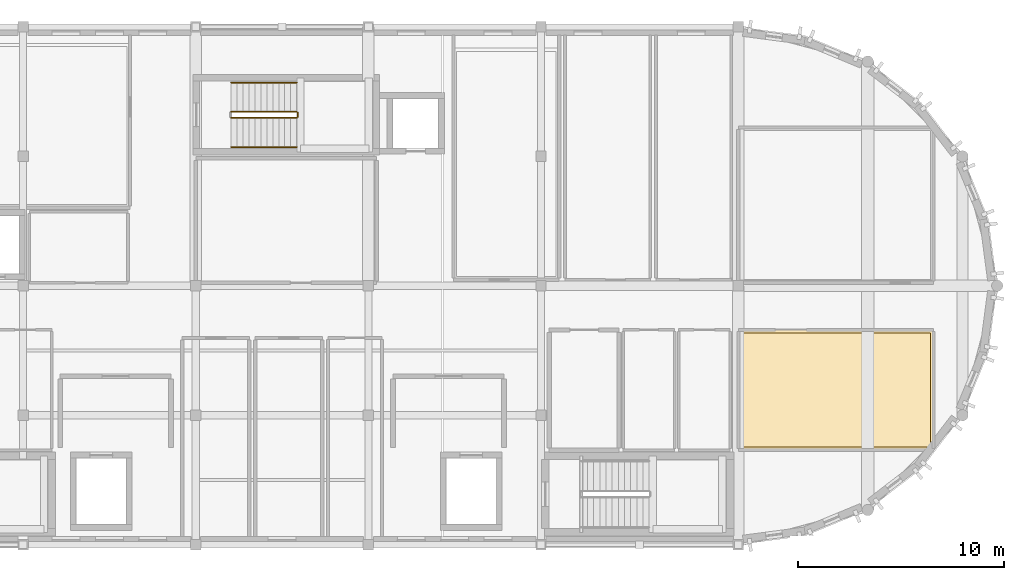
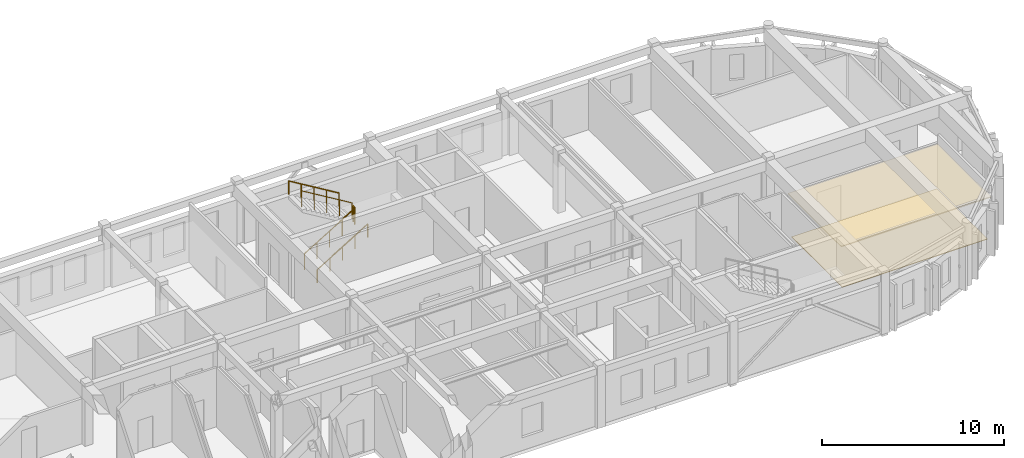
# One storey, part 10 of 11: 5 railings, 2 coverings.
"""IFC4 building model written with IfcOpenShell, lengths in metres."""

from ifc_helpers import new_model, si_unit, direction, frame, origin, origin_2d, place, context, subcontext, project, spatial, polyline, circle, outline, extrude, material, layer, layer_set, type_object, element, save


model = new_model("IFC4")

# Units and contexts
model_context = context("Model", 3, precision=1e-05, world=origin(), true_north=direction((0.0, 1.0)))
body_context = subcontext(model_context, "Body", "Model", "MODEL_VIEW")
ifc_project = project(units=[si_unit("LENGTHUNIT", "METRE"), si_unit("AREAUNIT", "SQUARE_METRE"), si_unit("VOLUMEUNIT", "CUBIC_METRE"), si_unit("PLANEANGLEUNIT", "RADIAN"), si_unit("MASSUNIT", "GRAM", prefix="KILO")], contexts=[model_context])

# Site, building, storey
site_placement = place(None, origin())
site = spatial("IfcSite", under=ifc_project, at=site_placement, CompositionType="ELEMENT")
building_placement = place(site_placement, origin())
building = spatial("IfcBuilding", under=site, at=building_placement, Name="Tarnavel Promenade Courthouse", CompositionType="ELEMENT")
storey_placement = place(building_placement, frame((0.0, 0.0, 31.199951171875)))
storey = spatial("IfcBuildingStorey", under=building, at=storey_placement, Name="L08", CompositionType="ELEMENT", Elevation=31.199951171875)

# Railings
ifc_material_1 = material(Name="Brushed Bronze Tubular Stair Handrail")
railing_type_1 = type_object("IfcRailingType", Name="Brushed Bronze Tubular Stair Handrail (RL-HND-0900)", PredefinedType="HANDRAIL", material=ifc_material_1)
railing_1_placement = place(storey_placement, frame((77.320068359375, 98.550048828125, 0.175048828125)))
element("IfcRailing", 1, at=railing_1_placement, inside=storey, type_object=railing_type_1, Name="L08 ST-03 stair handrail 1", PredefinedType="HANDRAIL", context=body_context, shape_type="SweptSolid", body=[
    extrude(circle(Radius=0.02392578125, at=origin_2d()), frame((0.0, 0.0, 0.8759765625), z_axis=(0.856177665481, 0.0, 0.516681531633), x_axis=(0.0, 1.0, 0.0)), (0.0, 0.0, 1.0), 3.725830078125),
    extrude(circle(Radius=0.02099609375, at=origin_2d()), origin(), (0.0, 0.0, 1.0), 0.851806640625),
    extrude(circle(Radius=0.02099609375, at=origin_2d()), frame((0.79736328125, 0.0, 0.481201171875)), (0.0, 0.0, 1.0), 0.851806640625),
    extrude(circle(Radius=0.02099609375, at=origin_2d()), frame((1.594970703125, 0.0, 0.96240234375)), (0.0, 0.0, 1.0), 0.851806640625),
    extrude(circle(Radius=0.02099609375, at=origin_2d()), frame((2.392578125, 0.0, 1.44384765625)), (0.0, 0.0, 1.0), 0.851806640625),
    extrude(circle(Radius=0.02099609375, at=origin_2d()), frame((3.18994140625, 0.0, 1.925048828125)), (0.0, 0.0, 1.0), 0.851806640625),
])
railing_2_placement = place(storey_placement, frame((80.510009765625, 101.68994140625, 2.275146484375)))
element("IfcRailing", 2, at=railing_2_placement, inside=storey, type_object=railing_type_1, Name="L08 ST-03 stair handrail 2", PredefinedType="HANDRAIL", context=body_context, shape_type="SweptSolid", body=[
    extrude(circle(Radius=0.02392578125, at=origin_2d()), frame((0.0, 0.0, 0.8759765625), z_axis=(-0.856206652436, 0.0, 0.516633495163), x_axis=(0.0, -1.0, 0.0)), (0.0, 0.0, 1.0), 3.7255859375),
    extrude(circle(Radius=0.02099609375, at=origin_2d()), origin(), (0.0, 0.0, 1.0), 0.851806640625),
    extrude(circle(Radius=0.02099609375, at=origin_2d()), frame((-0.79736328125, 0.0, 0.481201171875)), (0.0, 0.0, 1.0), 0.851806640625),
    extrude(circle(Radius=0.02099609375, at=origin_2d()), frame((-1.594970703125, 0.0, 0.96240234375)), (0.0, 0.0, 1.0), 0.851806640625),
    extrude(circle(Radius=0.02099609375, at=origin_2d()), frame((-2.392578125, 0.0, 1.443603515625)), (0.0, 0.0, 1.0), 0.851806640625),
    extrude(circle(Radius=0.02099609375, at=origin_2d()), frame((-3.18994140625, 0.0, 1.9248046875)), (0.0, 0.0, 1.0), 0.851806640625),
])

# Covering
ifc_material_2 = material(Name="Honed Khoriatis Marble and Terrazzo Civic Flooring", Category="masonry")
ifc_layer_1 = layer(ifc_material_2, 0.0400390625)
ifc_layer_set_1 = layer_set([ifc_layer_1], Name="Honed Khoriatis Marble and Terrazzo Civic Flooring")
covering_type_1 = type_object("IfcCoveringType", Name="Honed Khoriatis Marble and Terrazzo Civic Flooring (COV-FLR-TRZ-40)", PredefinedType="FLOORING", material=ifc_layer_set_1)
covering_1_placement = place(storey_placement, origin())
element("IfcCovering", 3, at=covering_1_placement, inside=storey, type_object=covering_type_1, Name="L08 L08 East Drum Collegium Reference Room Architectural Flooring 0058", PredefinedType="FLOORING", context=body_context, shape_type="SweptSolid", body=[
    extrude(outline(polyline([(102.14990234375, 83.949951171875), (111.35009765625, 83.949951171875), (111.35009765625, 89.5), (102.14990234375, 89.5), (102.14990234375, 83.949951171875)])), origin(), (0.0, 0.0, 1.0), 0.0400390625),
])

# Railings
ifc_material_3 = material(Name="Painted Architectural Steel Core Stair Guardrail", Category="steel")
railing_type_2 = type_object("IfcRailingType", Name="Painted Architectural Steel Core Stair Guardrail (RL-GRD-1100)", PredefinedType="GUARDRAIL", material=ifc_material_3)
railing_3_placement = place(storey_placement, frame((77.320068359375, 99.969970703125, 0.175048828125)))
element("IfcRailing", 4, at=railing_3_placement, inside=storey, type_object=railing_type_2, Name="L08 ST-03 stair guard 1", PredefinedType="GUARDRAIL", context=body_context, shape_type="SweptSolid", body=[
    extrude(circle(Radius=0.02392578125, at=origin_2d()), frame((0.0, 0.0, 1.076171875), z_axis=(0.856177665481, 0.0, 0.516681531633), x_axis=(0.0, 1.0, 0.0)), (0.0, 0.0, 1.0), 3.725830078125),
    extrude(circle(Radius=0.02099609375, at=origin_2d()), origin(), (0.0, 0.0, 1.0), 1.052001953125),
    extrude(circle(Radius=0.02099609375, at=origin_2d()), frame((0.79736328125, 0.0, 0.481201171875)), (0.0, 0.0, 1.0), 1.052001953125),
    extrude(circle(Radius=0.02099609375, at=origin_2d()), frame((1.594970703125, 0.0, 0.96240234375)), (0.0, 0.0, 1.0), 1.052001953125),
    extrude(circle(Radius=0.02099609375, at=origin_2d()), frame((2.392578125, 0.0, 1.44384765625)), (0.0, 0.0, 1.0), 1.052001953125),
    extrude(circle(Radius=0.02099609375, at=origin_2d()), frame((3.18994140625, 0.0, 1.925048828125)), (0.0, 0.0, 1.0), 1.052001953125),
])
railing_4_placement = place(storey_placement, frame((80.56005859375, 100.02001953125, 2.10009765625)))
element("IfcRailing", 5, at=railing_4_placement, inside=storey, type_object=railing_type_2, Name="L08 ST-03 stair guard 2", PredefinedType="GUARDRAIL", context=body_context, shape_type="SweptSolid", body=[
    extrude(circle(Radius=0.02392578125, at=origin_2d()), frame((0.0, 0.0, 1.076171875), z_axis=(0.0, 1.0, 0.0), x_axis=(-1.0, 0.0, 0.0)), (0.0, 0.0, 1.0), 0.199951171875),
    extrude(circle(Radius=0.02099609375, at=origin_2d()), origin(), (0.0, 0.0, 1.0), 1.052001953125),
    extrude(circle(Radius=0.02099609375, at=origin_2d()), frame((0.0, 0.199951171875, 0.0)), (0.0, 0.0, 1.0), 1.052001953125),
])
railing_5_placement = place(storey_placement, frame((80.510009765625, 100.27001953125, 2.275146484375)))
element("IfcRailing", 6, at=railing_5_placement, inside=storey, type_object=railing_type_2, Name="L08 ST-03 stair guard 3", PredefinedType="GUARDRAIL", context=body_context, shape_type="SweptSolid", body=[
    extrude(circle(Radius=0.02392578125, at=origin_2d()), frame((0.0, 0.0, 1.076171875), z_axis=(-0.856206652436, 0.0, 0.516633495163), x_axis=(0.0, -1.0, 0.0)), (0.0, 0.0, 1.0), 3.7255859375),
    extrude(circle(Radius=0.02099609375, at=origin_2d()), origin(), (0.0, 0.0, 1.0), 1.052001953125),
    extrude(circle(Radius=0.02099609375, at=origin_2d()), frame((-0.79736328125, 0.0, 0.481201171875)), (0.0, 0.0, 1.0), 1.052001953125),
    extrude(circle(Radius=0.02099609375, at=origin_2d()), frame((-1.594970703125, 0.0, 0.96240234375)), (0.0, 0.0, 1.0), 1.052001953125),
    extrude(circle(Radius=0.02099609375, at=origin_2d()), frame((-2.392578125, 0.0, 1.443603515625)), (0.0, 0.0, 1.0), 1.052001953125),
    extrude(circle(Radius=0.02099609375, at=origin_2d()), frame((-3.18994140625, 0.0, 1.9248046875)), (0.0, 0.0, 1.0), 1.052001953125),
])

# Covering
ifc_material_4 = material(Name="Slatted Acoustic White Oak Baffle Ceiling")
ifc_layer_2 = layer(ifc_material_4, 0.06494140625)
ifc_layer_set_2 = layer_set([ifc_layer_2], Name="Slatted Acoustic White Oak Baffle Ceiling")
covering_type_2 = type_object("IfcCoveringType", Name="Slatted Acoustic White Oak Baffle Ceiling (COV-CLG-OAK-65)", PredefinedType="CEILING", material=ifc_layer_set_2)
covering_2_placement = place(storey_placement, frame((0.0, 0.0, 2.844970703125)))
element("IfcCovering", 7, at=covering_2_placement, inside=storey, type_object=covering_type_2, Name="L08 L08 East Drum Collegium Reference Room Acoustic Ceiling 0058", PredefinedType="CEILING", context=body_context, shape_type="SweptSolid", body=[
    extrude(outline(polyline([(102.0, 83.800048828125), (111.5, 83.800048828125), (111.5, 89.64990234375), (102.0, 89.64990234375), (102.0, 83.800048828125)])), origin(), (0.0, 0.0, 1.0), 0.065185546875),
])

save(model, "model.ifc")
